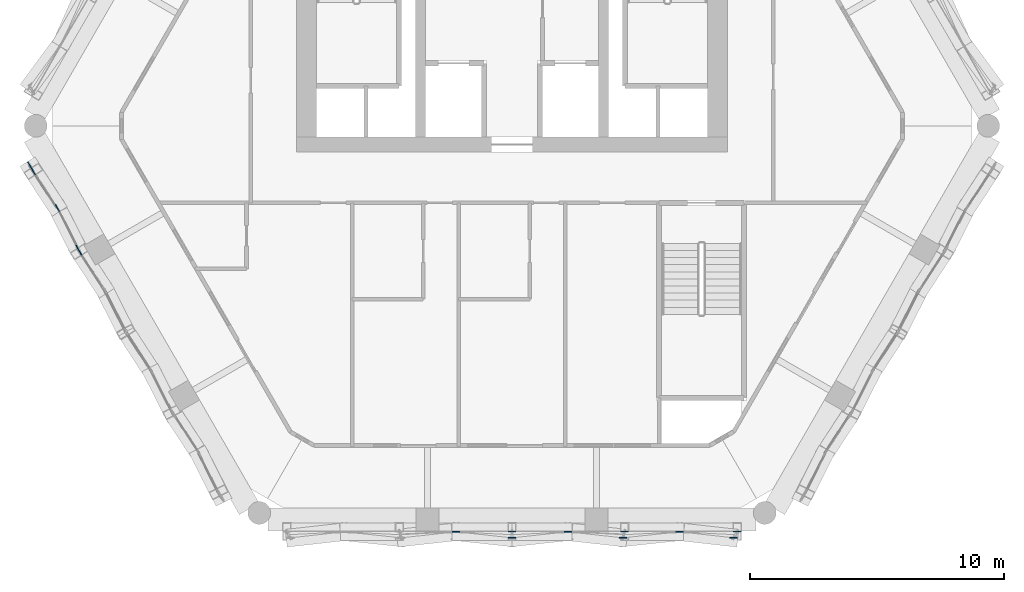
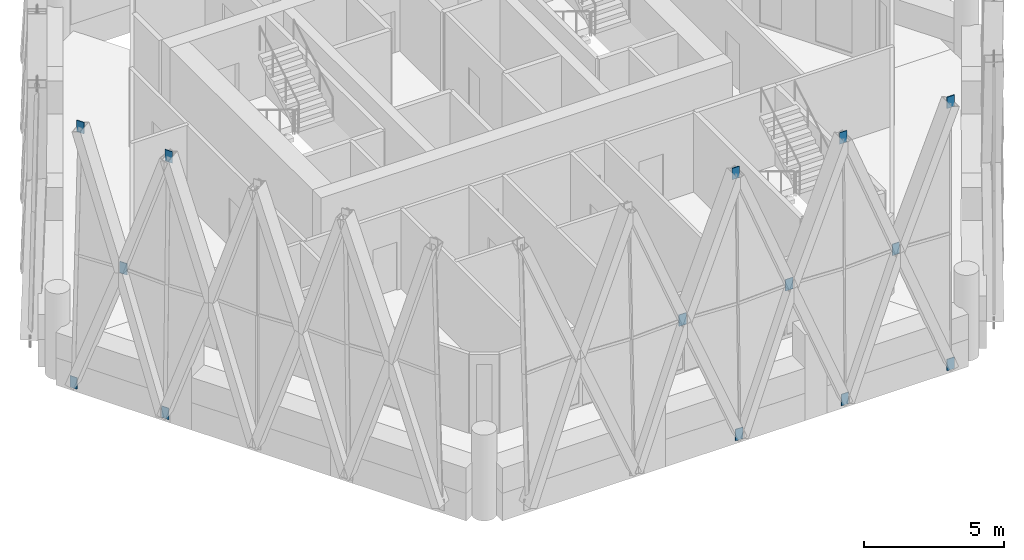
# One storey, part 17 of 22: 14 discrete accessories.
"""IFC4 building model written with IfcOpenShell, lengths in metres."""

from ifc_helpers import new_model, si_unit, direction, frame, origin, origin_2d, place, context, subcontext, project, spatial, rectangle, extrude, material, layer, layer_set, type_object, element, save


model = new_model("IFC4")

# Units and contexts
model_context = context("Model", 3, precision=1e-05, world=origin(), true_north=direction((0.0, 1.0)))
body_context = subcontext(model_context, "Body", "Model", "MODEL_VIEW")
ifc_project = project(units=[si_unit("LENGTHUNIT", "METRE"), si_unit("AREAUNIT", "SQUARE_METRE"), si_unit("VOLUMEUNIT", "CUBIC_METRE"), si_unit("PLANEANGLEUNIT", "RADIAN"), si_unit("MASSUNIT", "GRAM", prefix="KILO")], contexts=[model_context])

# Site, building, storey
site_placement = place(None, origin())
site = spatial("IfcSite", under=ifc_project, at=site_placement, CompositionType="ELEMENT")
building_placement = place(site_placement, origin())
building = spatial("IfcBuilding", under=site, at=building_placement, Name="Ostrander Bayou Hotel Tower", CompositionType="ELEMENT")
storey_placement = place(building_placement, frame((0.0, 0.0, 245.0)))
storey = spatial("IfcBuildingStorey", under=building, at=storey_placement, Name="L60", CompositionType="ELEMENT", Elevation=245.0)

# Discrete accessories
ifc_material = material(Name="Steel ASTM A572 Gr 50", Category="steel")
ifc_layer = layer(ifc_material, 0.030029296875)
ifc_layer_set = layer_set([ifc_layer], Name="GP1 gusset plate 30 mm")
discrete_accessory_type = type_object("IfcDiscreteAccessoryType", Name="GP1 gusset plate 30 mm", PredefinedType="BRACKET", material=ifc_layer_set)
for number, where, z_axis, x_axis, name in (
    (1, (-17.9208984375, -3.9013671875, 4.77490234375), (0.0, 0.0, 1.0), (0.5, -0.866025403784, 0.0), "GP1 gusset plate lat 399"),
    (2, (-19.008056640625, -2.217041015625, -0.85009765625), (0.0, 0.0, 1.0), (0.5, -0.866025403784, 0.0), "GP1 gusset plate lat 400"),
    (3, (-18.866455078125, -2.46240234375, 10.39990234375), (0.0, 0.0, 1.0), (0.5, -0.866025403784, 0.0), "GP1 gusset plate lat 401"),
    (4, (-17.112060546875, -5.5009765625, -0.85009765625), (0.0, 0.0, 1.0), (0.5, -0.866025403784, 0.0), "GP1 gusset plate lat 402"),
    (5, (-17.041259765625, -5.623779296875, 10.39990234375), (0.0, 0.0, 1.0), (0.5, -0.866025403784, 0.0), "GP1 gusset plate lat 403"),
    (6, (-2.201904296875, -16.667236328125, 4.77490234375), (0.0, 0.0, 1.0), (1.0, 0.0, 0.0), "GP1 gusset plate lat 418"),
    (7, (0.0, -16.904541015625, -0.85009765625), (0.0, 0.0, 1.0), (1.0, 0.0, 0.0), "GP1 gusset plate lat 419"),
    (8, (0.0, -16.658935546875, 10.39990234375), (0.0, 0.0, 1.0), (1.0, 0.0, 0.0), "GP1 gusset plate lat 420"),
    (9, (2.201904296875, -16.667236328125, 4.77490234375), (0.0, 0.0, 1.0), (1.0, 0.0, 0.0), "GP1 gusset plate lat 421"),
    (10, (4.368408203125, -16.904541015625, -0.85009765625), (0.0, 0.0, 1.0), (1.0, 0.0, 0.0), "GP1 gusset plate lat 422"),
    (11, (4.439208984375, -16.658935546875, 10.39990234375), (0.0, 0.0, 1.0), (1.0, 0.0, 0.0), "GP1 gusset plate lat 423"),
    (12, (6.605712890625, -16.667236328125, 4.77490234375), (0.0, 0.0, 1.0), (1.0, 0.0, 0.0), "GP1 gusset plate lat 424"),
    (13, (8.73681640625, -16.904541015625, -0.85009765625), (0.0, 0.0, 1.0), (1.0, 0.0, 0.0), "GP1 gusset plate lat 425"),
    (14, (8.87841796875, -16.658935546875, 10.39990234375), (0.0, 0.0, 1.0), (1.0, 0.0, 0.0), "GP1 gusset plate lat 426"),
):
    element("IfcDiscreteAccessory", number, at=place(storey_placement, frame(where, z_axis=z_axis, x_axis=x_axis)), inside=storey, type_object=discrete_accessory_type, Name=name, PredefinedType="BRACKET", context=body_context, shape_type="SweptSolid", body=[
        extrude(rectangle(XDim=0.300048828125, YDim=0.030029296875, at=origin_2d()), origin(), (0.0, 0.0, 1.0), 0.5),
    ])

save(model, "model.ifc")
